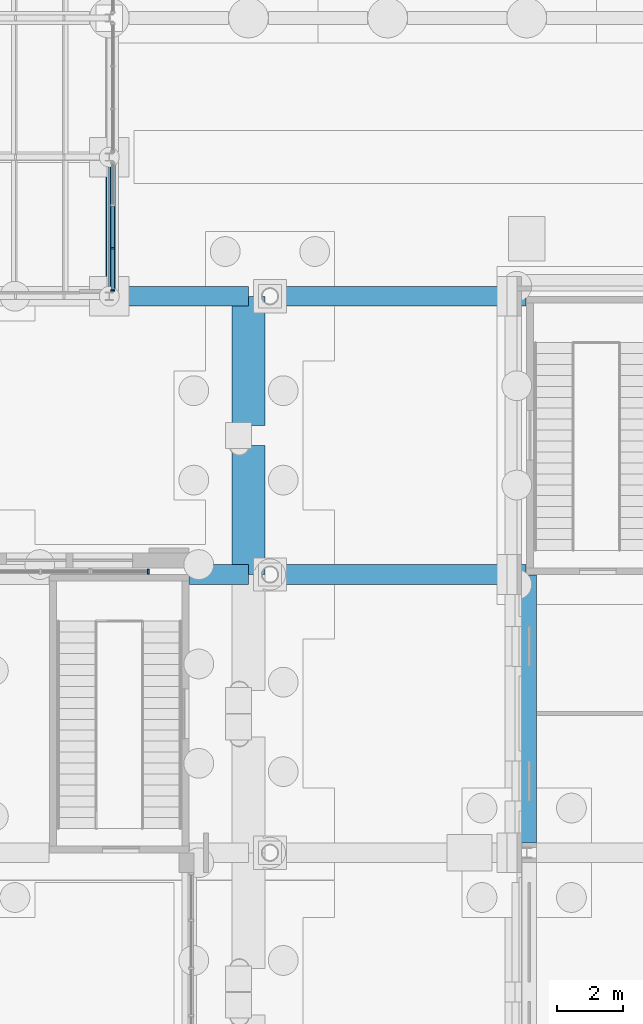
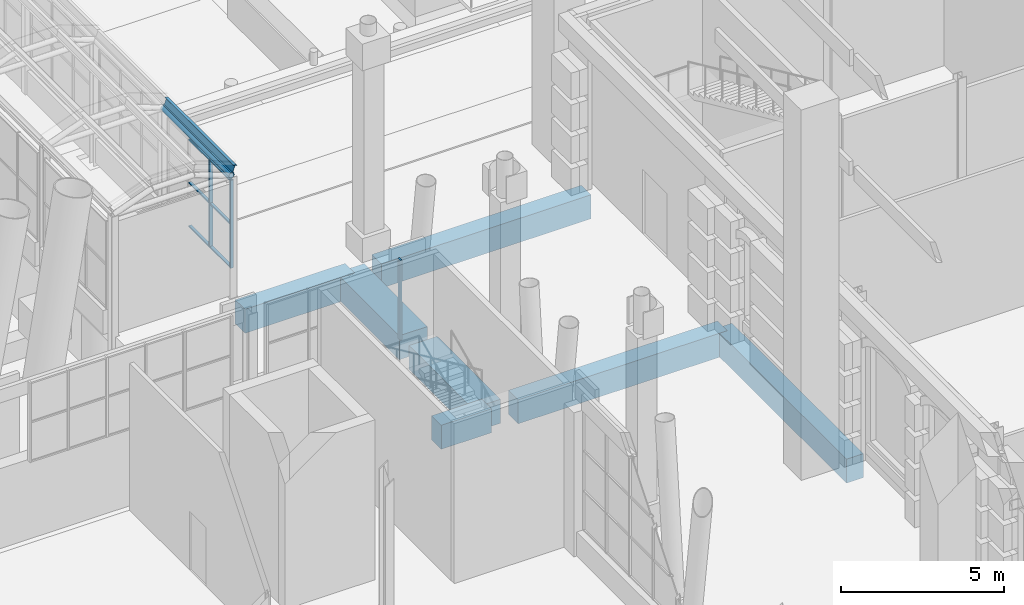
# One storey, part 59 of 222: 10 members, 8 beams, 2 elements without a shape of their own.
"""IFC4 building model written with IfcOpenShell, lengths in metres."""

from ifc_helpers import new_model, si_unit, direction, frame, origin, origin_2d, place, context, subcontext, project, spatial, rectangle, hollow_circle, i_section, extrude, material, material_profile, profile_set, type_object, element, aggregate, save


model = new_model("IFC4")

# Units and contexts
model_context = context("Model", 3, precision=1e-05, world=origin(), true_north=direction((0.0, 1.0)))
body_context = subcontext(model_context, "Body", "Model", "MODEL_VIEW")
ifc_project = project(units=[si_unit("LENGTHUNIT", "METRE"), si_unit("AREAUNIT", "SQUARE_METRE"), si_unit("VOLUMEUNIT", "CUBIC_METRE"), si_unit("PLANEANGLEUNIT", "RADIAN"), si_unit("MASSUNIT", "GRAM", prefix="KILO")], contexts=[model_context])

# Site, building, storey
site_placement = place(None, origin())
site = spatial("IfcSite", under=ifc_project, at=site_placement, CompositionType="ELEMENT")
building_placement = place(site_placement, origin())
building = spatial("IfcBuilding", under=site, at=building_placement, Name="Sava Quay Ferry Terminal", CompositionType="ELEMENT")
storey_placement = place(building_placement, origin())
storey = spatial("IfcBuildingStorey", under=building, at=storey_placement, Name="L00", CompositionType="ELEMENT", Elevation=0.0)

# Beam
ifc_material_1 = material(Name="Steel S355", Category="steel")
ifc_material_profile_1 = material_profile(ifc_material_1, hollow_circle(Radius=0.096923828125, WallThickness=0.008056640625, at=origin_2d()), Name="CHS 193.7 x 8.0")
ifc_profile_set_1 = profile_set([ifc_material_profile_1], Name="Steel S355")
beam_type_1 = type_object("IfcBeamType", Name="Gallery eave beam CHS 193.7x8", PredefinedType="BEAM", material=ifc_profile_set_1)
beam_1_placement = place(storey_placement, frame((79.800048828125, 109.199951171875, 4.5), z_axis=(0.0, 1.0, 0.0), x_axis=(-1.0, 0.0, 0.0)))
element("IfcBeam", 1, at=beam_1_placement, inside=storey, type_object=beam_type_1, Name="Boarding gallery B2 eave beam R1", PredefinedType="BEAM", context=body_context, shape_type="SweptSolid", body=[
    extrude(hollow_circle(Radius=0.096923828125, WallThickness=0.008056640625, at=origin_2d()), origin(), (0.0, 0.0, 1.0), 4.199951171875),
])

# Member
ifc_material_2 = material(Name="Steel S355", Category="steel")
ifc_material_profile_2 = material_profile(ifc_material_2, i_section(OverallWidth=0.135009765625, OverallDepth=0.27001953125, WebThickness=0.006591796875, FlangeThickness=0.01025390625, at=origin_2d()), Name="IPE 270")
ifc_profile_set_2 = profile_set([ifc_material_profile_2], Name="Steel S355")
member_type_1 = type_object("IfcMemberType", Name="Gallery purlin IPE 270", PredefinedType="PURLIN", material=ifc_profile_set_2)
member_1_placement = place(storey_placement, frame((79.87939453125, 109.199951171875, 4.718017578125), z_axis=(0.0, 1.0, 0.0), x_axis=(-0.939692620786, 0.0, 0.342020143326)))
element("IfcMember", 2, at=member_1_placement, inside=storey, type_object=member_type_1, Name="Boarding gallery B2 edge purlin bay 1 V3", PredefinedType="PURLIN", context=body_context, shape_type="SweptSolid", body=[
    extrude(i_section(OverallWidth=0.135009765625, OverallDepth=0.27001953125, WebThickness=0.006591796875, FlangeThickness=0.01025390625, at=origin_2d()), origin(), (0.0, 0.0, 1.0), 4.199951171875),
])

# Curtain wall, members
ifc_material_3 = material(Name="Aluminium and glass curtain wall, double glazed", Category="aluminium")
curtain_wall_type_1 = type_object("IfcCurtainWallType", Name="Curtain wall CW-B gallery", PredefinedType="NOTDEFINED", material=ifc_material_3)
curtain_wall_1_placement = place(storey_placement, origin())
curtain_wall_1 = element("IfcCurtainWall", 3, at=curtain_wall_1_placement, inside=storey, type_object=curtain_wall_type_1, Name="Curtain wall B2-E L00 bay 1", PredefinedType="NOTDEFINED")
ifc_material_4 = material(Name="Aluminium EN AW-6063 T6", Category="aluminium")
ifc_material_profile_3 = material_profile(ifc_material_4, rectangle(XDim=0.1201171875, YDim=0.050048828125, at=origin_2d()), Name="Mullion 50x120 aluminium")
ifc_profile_set_3 = profile_set([ifc_material_profile_3], Name="Aluminium EN AW-6063 T6")
member_type_2 = type_object("IfcMemberType", Name="Mullion 50x120 aluminium", PredefinedType="MULLION", material=ifc_profile_set_3)
member_2_placement = place(storey_placement, frame((79.89990234375, 109.375, 0.89990234375), z_axis=(0.0, 0.0, 1.0), x_axis=(-1.0, 0.0, 0.0)))
member_2 = element("IfcMember", 4, at=member_2_placement, type_object=member_type_2, Name="CW19 mullion 1", PredefinedType="MULLION", context=body_context, shape_type="SweptSolid", body=[
    extrude(rectangle(XDim=0.1201171875, YDim=0.050048828125, at=origin_2d()), origin(), (0.0, 0.0, 1.0), 3.300048828125),
])
member_3_placement = place(storey_placement, frame((79.89990234375, 110.64990234375, 0.89990234375), z_axis=(0.0, 0.0, 1.0), x_axis=(-1.0, 0.0, 0.0)))
member_3 = element("IfcMember", 5, at=member_3_placement, type_object=member_type_2, Name="CW19 mullion 2", PredefinedType="MULLION", context=body_context, shape_type="SweptSolid", body=[
    extrude(rectangle(XDim=0.1201171875, YDim=0.050048828125, at=origin_2d()), origin(), (0.0, 0.0, 1.0), 3.300048828125),
])

# Curtain wall, member
ifc_material_5 = material(Name="Aluminium and glass curtain wall, double low-e glazed", Category="aluminium")
curtain_wall_type_2 = type_object("IfcCurtainWallType", Name="Curtain wall CW-G gable", PredefinedType="NOTDEFINED", material=ifc_material_5)
curtain_wall_2_placement = place(storey_placement, origin())
curtain_wall_2 = element("IfcCurtainWall", 6, at=curtain_wall_2_placement, inside=storey, type_object=curtain_wall_type_2, Name="Curtain wall D-N L00 bay 61", PredefinedType="NOTDEFINED")
ifc_material_6 = material(Name="Aluminium EN AW-6063 T6", Category="aluminium")
ifc_material_profile_4 = material_profile(ifc_material_6, rectangle(XDim=0.14990234375, YDim=0.06005859375, at=origin_2d()), Name="Mullion 60x150 aluminium")
ifc_profile_set_4 = profile_set([ifc_material_profile_4], Name="Aluminium EN AW-6063 T6")
member_type_3 = type_object("IfcMemberType", Name="Mullion 60x150 aluminium", PredefinedType="MULLION", material=ifc_profile_set_4)
member_4_placement = place(storey_placement, frame((80.969970703125, 100.885009765625, 3.0), z_axis=(0.0, 0.0, 1.0), x_axis=(0.0, 1.0, 0.0)))
member_4 = element("IfcMember", 7, at=member_4_placement, type_object=member_type_3, Name="CW85 mullion 2", PredefinedType="MULLION", context=body_context, shape_type="SweptSolid", body=[
    extrude(rectangle(XDim=0.14990234375, YDim=0.06005859375, at=origin_2d()), origin(), (0.0, 0.0, 1.0), 3.0),
])
aggregate(curtain_wall_2, [member_4])

# Beams
ifc_material_7 = material(Name="Concrete C40/50", Category="concrete")
ifc_material_profile_5 = material_profile(ifc_material_7, rectangle(XDim=1.0, YDim=0.89990234375, at=origin_2d()), Name="RC 1000x900")
ifc_profile_set_5 = profile_set([ifc_material_profile_5], Name="Concrete C40/50")
beam_type_2 = type_object("IfcBeamType", Name="RC deck beam 1000x900", PredefinedType="BEAM", material=ifc_profile_set_5)
for number, where, z_axis, x_axis, name in (
    (8, (84.0, 100.800048828125, -0.89990234375), (0.0, 1.0, 0.0), (-1.0, 0.0, 0.0), "Deck beam Y84-100.8"),
    (9, (84.0, 105.300048828125, -0.89990234375), (0.0, 1.0, 0.0), (-1.0, 0.0, 0.0), "Deck beam Y84-100.8"),
):
    element("IfcBeam", number, at=place(storey_placement, frame(where, z_axis=z_axis, x_axis=x_axis)), inside=storey, type_object=beam_type_2, Name=name, PredefinedType="BEAM", context=body_context, shape_type="SweptSolid", body=[
        extrude(rectangle(XDim=1.0, YDim=0.89990234375, at=origin_2d()), origin(), (0.0, 0.0, 1.0), 3.89990234375),
    ])
ifc_material_8 = material(Name="Concrete C40/50", Category="concrete")
ifc_material_profile_6 = material_profile(ifc_material_8, rectangle(XDim=0.60009765625, YDim=0.89990234375, at=origin_2d()), Name="RC 600x900")
ifc_profile_set_6 = profile_set([ifc_material_profile_6], Name="Concrete C40/50")
beam_type_3 = type_object("IfcBeamType", Name="RC deck beam 600x900", PredefinedType="BEAM", material=ifc_profile_set_6)
beam_2_placement = place(storey_placement, frame((82.219970703125, 100.800048828125, -0.89990234375), z_axis=(1.0, 0.0, 0.0), x_axis=(0.0, 1.0, 0.0)))
element("IfcBeam", 10, at=beam_2_placement, inside=storey, type_object=beam_type_3, Name="Deck beam X100.8-75.6", PredefinedType="BEAM", context=body_context, shape_type="SweptSolid", body=[
    extrude(rectangle(XDim=0.60009765625, YDim=0.89990234375, at=origin_2d()), origin(), (0.0, 0.0, 1.0), 1.780029296875),
])
beam_3_placement = place(storey_placement, frame((84.949951171875, 100.800048828125, -0.89990234375), z_axis=(1.0, 0.0, 0.0), x_axis=(0.0, 1.0, 0.0)))
element("IfcBeam", 11, at=beam_3_placement, inside=storey, type_object=beam_type_3, Name="Deck beam X100.8-84", PredefinedType="BEAM", context=body_context, shape_type="SweptSolid", body=[
    extrude(rectangle(XDim=0.60009765625, YDim=0.89990234375, at=origin_2d()), origin(), (0.0, 0.0, 1.0), 7.429931640625),
])
beam_4_placement = place(storey_placement, frame((80.10009765625, 109.199951171875, -0.89990234375), z_axis=(1.0, 0.0, 0.0), x_axis=(0.0, 1.0, 0.0)))
element("IfcBeam", 12, at=beam_4_placement, inside=storey, type_object=beam_type_3, Name="Deck beam X109.2-75.6", PredefinedType="BEAM", context=body_context, shape_type="SweptSolid", body=[
    extrude(rectangle(XDim=0.60009765625, YDim=0.89990234375, at=origin_2d()), origin(), (0.0, 0.0, 1.0), 3.89990234375),
])
beam_5_placement = place(storey_placement, frame((84.949951171875, 109.199951171875, -0.89990234375), z_axis=(1.0, 0.0, 0.0), x_axis=(0.0, 1.0, 0.0)))
element("IfcBeam", 13, at=beam_5_placement, inside=storey, type_object=beam_type_3, Name="Deck beam X109.2-84", PredefinedType="BEAM", context=body_context, shape_type="SweptSolid", body=[
    extrude(rectangle(XDim=0.60009765625, YDim=0.89990234375, at=origin_2d()), origin(), (0.0, 0.0, 1.0), 7.429931640625),
])
beam_6_placement = place(storey_placement, frame((92.39990234375, 92.699951171875, -0.89990234375), z_axis=(0.0, 1.0, 0.0), x_axis=(-1.0, 0.0, 0.0)))
element("IfcBeam", 14, at=beam_6_placement, inside=storey, type_object=beam_type_3, Name="Deck beam Y92.4-92.4", PredefinedType="BEAM", context=body_context, shape_type="SweptSolid", body=[
    extrude(rectangle(XDim=0.60009765625, YDim=0.89990234375, at=origin_2d()), origin(), (0.0, 0.0, 1.0), 8.080078125),
])

# Member
ifc_material_9 = material(Name="Aluminium EN AW-6063 T6", Category="aluminium")
ifc_material_profile_7 = material_profile(ifc_material_9, rectangle(XDim=0.10009765625, YDim=0.050048828125, at=origin_2d()), Name="Transom 50x100 aluminium")
ifc_profile_set_7 = profile_set([ifc_material_profile_7], Name="Aluminium EN AW-6063 T6")
member_type_4 = type_object("IfcMemberType", Name="Transom 50x100 aluminium", PredefinedType="USERDEFINED", material=ifc_profile_set_7)
member_5_placement = place(storey_placement, frame((79.89990234375, 109.39990234375, 0.925048828125), z_axis=(0.0, 1.0, 0.0), x_axis=(-1.0, 0.0, 0.0)))
member_5 = element("IfcMember", 15, at=member_5_placement, type_object=member_type_4, Name="CW19 transom 1.1", ObjectType="TRANSOM", PredefinedType="USERDEFINED", context=body_context, shape_type="SweptSolid", body=[
    extrude(rectangle(XDim=0.10009765625, YDim=0.050048828125, at=origin_2d()), origin(), (0.0, 0.0, 1.0), 1.22509765625),
])

member_6_placement = place(storey_placement, frame((79.89990234375, 109.39990234375, 2.550048828125), z_axis=(0.0, 1.0, 0.0), x_axis=(-1.0, 0.0, 0.0)))
member_6 = element("IfcMember", 16, at=member_6_placement, type_object=member_type_4, Name="CW19 transom 1.2", ObjectType="TRANSOM", PredefinedType="USERDEFINED", context=body_context, shape_type="SweptSolid", body=[
    extrude(rectangle(XDim=0.10009765625, YDim=0.050048828125, at=origin_2d()), origin(), (0.0, 0.0, 1.0), 1.22509765625),
])

member_7_placement = place(storey_placement, frame((79.89990234375, 109.39990234375, 4.175048828125), z_axis=(0.0, 1.0, 0.0), x_axis=(-1.0, 0.0, 0.0)))
member_7 = element("IfcMember", 17, at=member_7_placement, type_object=member_type_4, Name="CW19 transom 1.3", ObjectType="TRANSOM", PredefinedType="USERDEFINED", context=body_context, shape_type="SweptSolid", body=[
    extrude(rectangle(XDim=0.10009765625, YDim=0.050048828125, at=origin_2d()), origin(), (0.0, 0.0, 1.0), 1.22509765625),
])

member_8_placement = place(storey_placement, frame((79.89990234375, 110.675048828125, 0.925048828125), z_axis=(0.0, 1.0, 0.0), x_axis=(-1.0, 0.0, 0.0)))
member_8 = element("IfcMember", 18, at=member_8_placement, type_object=member_type_4, Name="CW19 transom 2.1", ObjectType="TRANSOM", PredefinedType="USERDEFINED", context=body_context, shape_type="SweptSolid", body=[
    extrude(rectangle(XDim=0.10009765625, YDim=0.050048828125, at=origin_2d()), origin(), (0.0, 0.0, 1.0), 1.25),
])

member_9_placement = place(storey_placement, frame((79.89990234375, 110.675048828125, 2.550048828125), z_axis=(0.0, 1.0, 0.0), x_axis=(-1.0, 0.0, 0.0)))
member_9 = element("IfcMember", 19, at=member_9_placement, type_object=member_type_4, Name="CW19 transom 2.2", ObjectType="TRANSOM", PredefinedType="USERDEFINED", context=body_context, shape_type="SweptSolid", body=[
    extrude(rectangle(XDim=0.10009765625, YDim=0.050048828125, at=origin_2d()), origin(), (0.0, 0.0, 1.0), 1.25),
])

member_10_placement = place(storey_placement, frame((79.89990234375, 110.675048828125, 4.175048828125), z_axis=(0.0, 1.0, 0.0), x_axis=(-1.0, 0.0, 0.0)))
member_10 = element("IfcMember", 20, at=member_10_placement, type_object=member_type_4, Name="CW19 transom 2.3", ObjectType="TRANSOM", PredefinedType="USERDEFINED", context=body_context, shape_type="SweptSolid", body=[
    extrude(rectangle(XDim=0.10009765625, YDim=0.050048828125, at=origin_2d()), origin(), (0.0, 0.0, 1.0), 1.25),
])

aggregate(curtain_wall_1, [member_2, member_3, member_5, member_6, member_7, member_8, member_9, member_10])

save(model, "model.ifc")
